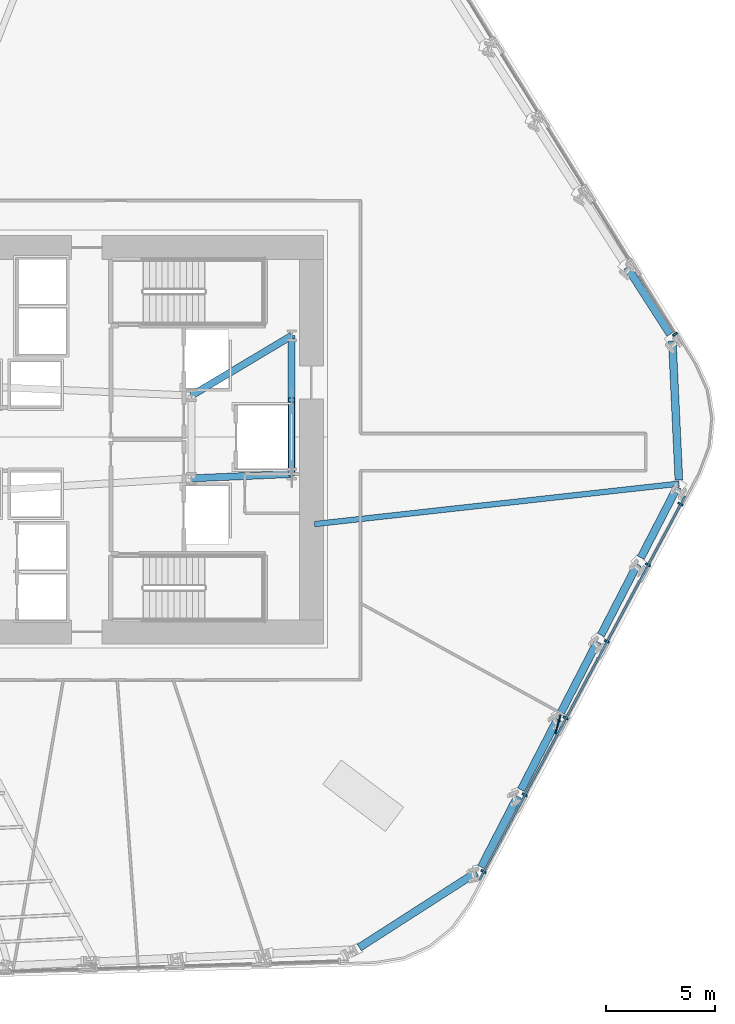
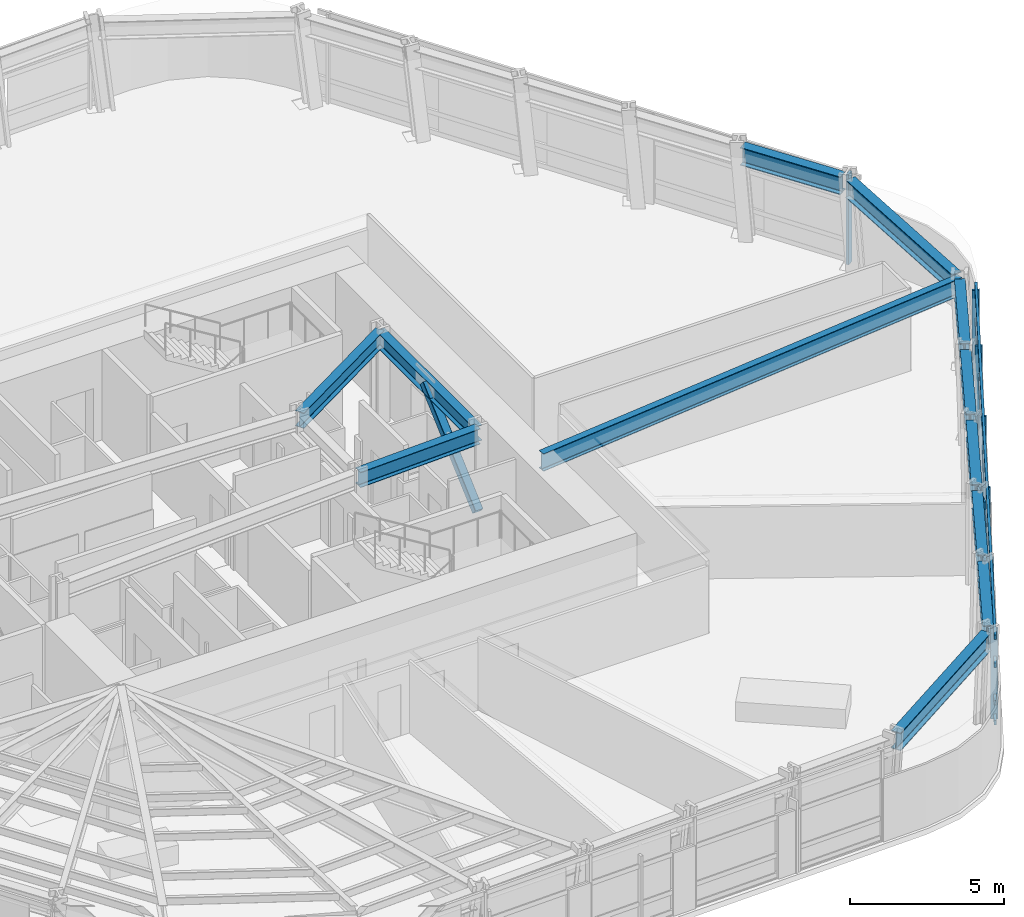
# One storey, part 4 of 15: 13 members, 12 beams, 2 elements without a shape of their own.
"""IFC4 building model written with IfcOpenShell, lengths in metres."""

from ifc_helpers import new_model, si_unit, direction, frame, origin, origin_2d, place, context, subcontext, project, spatial, rectangle, hollow_rectangle, i_section, extrude, material, layer, layer_set, material_profile, profile_set, type_object, element, aggregate, save


model = new_model("IFC4")

# Units and contexts
model_context = context("Model", 3, precision=1e-05, world=origin(), true_north=direction((0.0, 1.0)))
body_context = subcontext(model_context, "Body", "Model", "MODEL_VIEW")
ifc_project = project(units=[si_unit("LENGTHUNIT", "METRE"), si_unit("AREAUNIT", "SQUARE_METRE"), si_unit("VOLUMEUNIT", "CUBIC_METRE"), si_unit("PLANEANGLEUNIT", "RADIAN"), si_unit("MASSUNIT", "GRAM", prefix="KILO")], contexts=[model_context])

# Site, building, storey
site_placement = place(None, origin())
site = spatial("IfcSite", under=ifc_project, at=site_placement, CompositionType="ELEMENT")
building_placement = place(site_placement, origin())
building = spatial("IfcBuilding", under=site, at=building_placement, Name="Valkerne Bourse Tower", CompositionType="ELEMENT")
storey_placement = place(building_placement, frame((0.0, 0.0, 31.60009765625)))
storey = spatial("IfcBuildingStorey", under=building, at=storey_placement, Name="L07", CompositionType="ELEMENT", Elevation=31.60009765625)

# Beams
ifc_material_1 = material(Name="Steel ASTM A992", Category="steel")
ifc_material_profile_1 = material_profile(ifc_material_1, i_section(OverallWidth=0.3251953125, OverallDepth=0.612060546875, WebThickness=0.0126953125, FlangeThickness=0.01904296875, FilletRadius=0.020263671875, at=origin_2d()), Name="W24X104")
ifc_profile_set_1 = profile_set([ifc_material_profile_1], Name="Steel ASTM A992")
beam_type_1 = type_object("IfcBeamType", Name="BM-W24X104", PredefinedType="BEAM", material=ifc_profile_set_1)
beam_1_placement = place(storey_placement, frame((50.35009765625, 25.10009765625, 3.27392578125), z_axis=(0.999056558506, 0.043428019819, 0.0), x_axis=(-0.043428019819, 0.999056558506, 0.0)))
element("IfcBeam", 1, at=beam_1_placement, inside=storey, type_object=beam_type_1, Name="L07 Core Frame Girder CG-SE", PredefinedType="BEAM", context=body_context, shape_type="SweptSolid", body=[
    extrude(i_section(OverallWidth=0.3251953125, OverallDepth=0.612060546875, WebThickness=0.0126953125, FlangeThickness=0.01904296875, FilletRadius=0.020263671875, at=origin_2d()), origin(), (0.0, 0.0, 1.0), 4.604248046875),
])
beam_2_placement = place(storey_placement, frame((50.35009765625, 28.89990234375, 3.27392578125), z_axis=(0.858307823492, 0.513135148019, 0.0), x_axis=(-0.513135148019, 0.858307823492, 0.0)))
element("IfcBeam", 2, at=beam_2_placement, inside=storey, type_object=beam_type_1, Name="L07 Core Frame Girder CG-NE", PredefinedType="BEAM", context=body_context, shape_type="SweptSolid", body=[
    extrude(i_section(OverallWidth=0.3251953125, OverallDepth=0.612060546875, WebThickness=0.0126953125, FlangeThickness=0.01904296875, FilletRadius=0.020263671875, at=origin_2d()), origin(), (0.0, 0.0, 1.0), 5.359130859375),
])
beam_3_placement = place(storey_placement, frame((54.949951171875, 25.300048828125, 3.27392578125), z_axis=(0.0, 1.0, 0.0), x_axis=(-1.0, 0.0, 0.0)))
element("IfcBeam", 3, at=beam_3_placement, inside=storey, type_object=beam_type_1, Name="L07 Core Frame Girder CG-EE", PredefinedType="BEAM", context=body_context, shape_type="SweptSolid", body=[
    extrude(i_section(OverallWidth=0.3251953125, OverallDepth=0.612060546875, WebThickness=0.0126953125, FlangeThickness=0.01904296875, FilletRadius=0.020263671875, at=origin_2d()), origin(), (0.0, 0.0, 1.0), 6.349853515625),
])
ifc_material_profile_2 = material_profile(ifc_material_1, i_section(OverallWidth=0.255859375, OverallDepth=0.693359375, WebThickness=0.014404296875, FlangeThickness=0.023681640625, FilletRadius=0.02294921875, at=origin_2d()), Name="W27X114")
ifc_profile_set_2 = profile_set([ifc_material_profile_2], Name="Steel ASTM A992")
beam_type_2 = type_object("IfcBeamType", Name="BM-W27X114", PredefinedType="BEAM", material=ifc_profile_set_2)
beam_4_placement = place(storey_placement, frame((72.7373046875, 24.85498046875, 3.233154296875), z_axis=(-0.993914459834, -0.110154648256, 0.0), x_axis=(0.110154648256, -0.993914459834, 0.0)))
element("IfcBeam", 4, at=beam_4_placement, inside=storey, type_object=beam_type_2, Name="L07 Radial Composite Floor Beam 35", PredefinedType="BEAM", context=body_context, shape_type="SweptSolid", body=[
    extrude(i_section(OverallWidth=0.255859375, OverallDepth=0.693359375, WebThickness=0.014404296875, FlangeThickness=0.023681640625, FilletRadius=0.02294921875, at=origin_2d()), origin(), (0.0, 0.0, 1.0), 16.83984375),
])
ifc_material_profile_3 = material_profile(ifc_material_1, i_section(OverallWidth=0.358154296875, OverallDepth=0.7060546875, WebThickness=0.018310546875, FlangeThickness=0.0302734375, FilletRadius=0.02294921875, at=origin_2d()), Name="W27X178")
ifc_profile_set_3 = profile_set([ifc_material_profile_3], Name="Steel ASTM A992")
beam_type_3 = type_object("IfcBeamType", Name="BM-W27X178", PredefinedType="SPANDREL", material=ifc_profile_set_3)
beam_5_placement = place(storey_placement, frame((72.32861328125, 31.719482421875, 3.226806640625), z_axis=(-0.540224232621, 0.841521109949, 0.0), x_axis=(-0.841521109949, -0.540224232621, 0.0)))
element("IfcBeam", 5, at=beam_5_placement, inside=storey, type_object=beam_type_3, Name="L07 Hexagonal Spandrel Ring Beam 00", PredefinedType="SPANDREL", context=body_context, shape_type="SweptSolid", body=[
    extrude(i_section(OverallWidth=0.358154296875, OverallDepth=0.7060546875, WebThickness=0.018310546875, FlangeThickness=0.0302734375, FilletRadius=0.02294921875, at=origin_2d()), origin(), (0.0, 0.0, 1.0), 3.656005859375),
])
beam_6_placement = place(storey_placement, frame((58.05419921875, 3.556884765625, 3.226806640625), z_axis=(0.84149741777, 0.540261136753, 0.0), x_axis=(-0.540261136753, 0.84149741777, 0.0)))
element("IfcBeam", 6, at=beam_6_placement, inside=storey, type_object=beam_type_3, Name="L07 Hexagonal Spandrel Ring Beam 29", PredefinedType="SPANDREL", context=body_context, shape_type="SweptSolid", body=[
    extrude(i_section(OverallWidth=0.358154296875, OverallDepth=0.7060546875, WebThickness=0.018310546875, FlangeThickness=0.0302734375, FilletRadius=0.02294921875, at=origin_2d()), origin(), (0.0, 0.0, 1.0), 6.388916015625),
])
beam_7_placement = place(storey_placement, frame((63.651611328125, 7.25146484375, 3.226806640625), z_axis=(0.458636115682, 0.888624168809, 0.0), x_axis=(-0.888624168809, 0.458636115682, 0.0)))
element("IfcBeam", 7, at=beam_7_placement, inside=storey, type_object=beam_type_3, Name="L07 Hexagonal Spandrel Ring Beam 30", PredefinedType="SPANDREL", context=body_context, shape_type="SweptSolid", body=[
    extrude(i_section(OverallWidth=0.358154296875, OverallDepth=0.7060546875, WebThickness=0.018310546875, FlangeThickness=0.0302734375, FilletRadius=0.02294921875, at=origin_2d()), origin(), (0.0, 0.0, 1.0), 3.656005859375),
])
beam_8_placement = place(storey_placement, frame((65.484375, 10.802490234375, 3.226806640625), z_axis=(0.458610597204, 0.888637338925, 0.0), x_axis=(-0.888637338925, 0.458610597204, 0.0)))
element("IfcBeam", 8, at=beam_8_placement, inside=storey, type_object=beam_type_3, Name="L07 Hexagonal Spandrel Ring Beam 31", PredefinedType="SPANDREL", context=body_context, shape_type="SweptSolid", body=[
    extrude(i_section(OverallWidth=0.358154296875, OverallDepth=0.7060546875, WebThickness=0.018310546875, FlangeThickness=0.0302734375, FilletRadius=0.02294921875, at=origin_2d()), origin(), (0.0, 0.0, 1.0), 3.655517578125),
])
beam_9_placement = place(storey_placement, frame((67.31689453125, 14.353271484375, 3.226806640625), z_axis=(0.458688845255, 0.888596952076, 0.0), x_axis=(-0.888596952076, 0.458688845255, 0.0)))
element("IfcBeam", 9, at=beam_9_placement, inside=storey, type_object=beam_type_3, Name="L07 Hexagonal Spandrel Ring Beam 32", PredefinedType="SPANDREL", context=body_context, shape_type="SweptSolid", body=[
    extrude(i_section(OverallWidth=0.358154296875, OverallDepth=0.7060546875, WebThickness=0.018310546875, FlangeThickness=0.0302734375, FilletRadius=0.02294921875, at=origin_2d()), origin(), (0.0, 0.0, 1.0), 3.656005859375),
])
for number, where, z_axis, x_axis, name in (
    (10, (69.14990234375, 17.904296875, 3.226806640625), (0.458663333085, 0.888610120854, 0.0), (-0.888610120854, 0.458663333085, 0.0), "L07 Hexagonal Spandrel Ring Beam 33"),
    (11, (70.982666015625, 21.455078125, 3.226806640625), (0.458583381264, 0.888651384081, 0.0), (-0.888651384081, 0.458583381264, 0.0), "L07 Hexagonal Spandrel Ring Beam 34"),
):
    element("IfcBeam", number, at=place(storey_placement, frame(where, z_axis=z_axis, x_axis=x_axis)), inside=storey, type_object=beam_type_3, Name=name, PredefinedType="SPANDREL", context=body_context, shape_type="SweptSolid", body=[
        extrude(i_section(OverallWidth=0.358154296875, OverallDepth=0.7060546875, WebThickness=0.018310546875, FlangeThickness=0.0302734375, FilletRadius=0.02294921875, at=origin_2d()), origin(), (0.0, 0.0, 1.0), 3.65576171875),
    ])
beam_10_placement = place(storey_placement, frame((72.729248046875, 25.024658203125, 3.226806640625), z_axis=(-0.047076777835, 0.998891273857, 0.0), x_axis=(-0.998891273857, -0.047076777835, 0.0)))
element("IfcBeam", 12, at=beam_10_placement, inside=storey, type_object=beam_type_3, Name="L07 Hexagonal Spandrel Ring Beam 35", PredefinedType="SPANDREL", context=body_context, shape_type="SweptSolid", body=[
    extrude(i_section(OverallWidth=0.358154296875, OverallDepth=0.7060546875, WebThickness=0.018310546875, FlangeThickness=0.0302734375, FilletRadius=0.02294921875, at=origin_2d()), origin(), (0.0, 0.0, 1.0), 6.38916015625),
])

# Curtain wall, member
ifc_material_2 = material(Name="Aluminium AA 6063-T6", Category="aluminium")
ifc_layer = layer(ifc_material_2, 0.22509765625)
ifc_layer_set = layer_set([ifc_layer], Name="Aluminium AA 6063-T6")
curtain_wall_type = type_object("IfcCurtainWallType", Name="CW-01", PredefinedType="NOTDEFINED", material=ifc_layer_set)
curtain_wall_1_placement = place(storey_placement, origin())
curtain_wall_1 = element("IfcCurtainWall", 13, at=curtain_wall_1_placement, inside=storey, type_object=curtain_wall_type, Name="L07 Hexagonal Stick Curtain Wall Face 1", PredefinedType="NOTDEFINED")
ifc_material_profile_4 = material_profile(ifc_material_2, rectangle(XDim=0.090087890625, YDim=0.239990234375, at=origin_2d()), Name="CWM-90X240")
ifc_profile_set_4 = profile_set([ifc_material_profile_4], Name="Aluminium AA 6063-T6")
member_type_1 = type_object("IfcMemberType", Name="CW-MUL-240X90", PredefinedType="MULLION", material=ifc_profile_set_4)
member_1_placement = place(storey_placement, frame((72.556640625, 31.709716796875, 0.0), z_axis=(0.0, 0.0, 1.0), x_axis=(-0.526949791595, 0.849896415534, 0.0)))
member_1 = element("IfcMember", 14, at=member_1_placement, type_object=member_type_1, Name="CW-L07-F1 Jamb Mullion 00A", PredefinedType="MULLION", context=body_context, shape_type="SweptSolid", body=[
    extrude(rectangle(XDim=0.090087890625, YDim=0.239990234375, at=origin_2d()), origin(), (0.0, 0.0, 1.0), 3.579833984375),
])
aggregate(curtain_wall_1, [member_1])

# Curtain wall, members
curtain_wall_2_placement = place(storey_placement, origin())
curtain_wall_2 = element("IfcCurtainWall", 15, at=curtain_wall_2_placement, inside=storey, type_object=curtain_wall_type, Name="L07 Hexagonal Stick Curtain Wall Face 6", PredefinedType="NOTDEFINED")
member_2_placement = place(storey_placement, frame((63.757080078125, 7.048828125, 0.0), z_axis=(0.0, 0.0, 1.0), x_axis=(0.472547077315, 0.881305429304, 0.0)))
member_2 = element("IfcMember", 16, at=member_2_placement, type_object=member_type_1, Name="CW-L07-F6 Jamb Mullion 00A", PredefinedType="MULLION", context=body_context, shape_type="SweptSolid", body=[
    extrude(rectangle(XDim=0.090087890625, YDim=0.239990234375, at=origin_2d()), origin(), (0.0, 0.0, 1.0), 3.579833984375),
])
member_3_placement = place(storey_placement, frame((65.645263671875, 10.570556640625, 0.0), z_axis=(0.0, 0.0, 1.0), x_axis=(0.472547077315, 0.881305429304, 0.0)))
member_3 = element("IfcMember", 17, at=member_3_placement, type_object=member_type_1, Name="CW-L07-F6 Jamb Mullion 01A", PredefinedType="MULLION", context=body_context, shape_type="SweptSolid", body=[
    extrude(rectangle(XDim=0.090087890625, YDim=0.239990234375, at=origin_2d()), origin(), (0.0, 0.0, 1.0), 3.579833984375),
])
member_4_placement = place(storey_placement, frame((67.53369140625, 14.09228515625, 0.0), z_axis=(0.0, 0.0, 1.0), x_axis=(0.472547077315, 0.881305429304, 0.0)))
member_4 = element("IfcMember", 18, at=member_4_placement, type_object=member_type_1, Name="CW-L07-F6 Jamb Mullion 02A", PredefinedType="MULLION", context=body_context, shape_type="SweptSolid", body=[
    extrude(rectangle(XDim=0.090087890625, YDim=0.239990234375, at=origin_2d()), origin(), (0.0, 0.0, 1.0), 3.579833984375),
])
member_5_placement = place(storey_placement, frame((69.421875, 17.614013671875, 0.0), z_axis=(0.0, 0.0, 1.0), x_axis=(0.472547077315, 0.881305429304, 0.0)))
member_5 = element("IfcMember", 19, at=member_5_placement, type_object=member_type_1, Name="CW-L07-F6 Jamb Mullion 03A", PredefinedType="MULLION", context=body_context, shape_type="SweptSolid", body=[
    extrude(rectangle(XDim=0.090087890625, YDim=0.239990234375, at=origin_2d()), origin(), (0.0, 0.0, 1.0), 3.579833984375),
])
member_6_placement = place(storey_placement, frame((71.310302734375, 21.135498046875, 0.0), z_axis=(0.0, 0.0, 1.0), x_axis=(0.472547077315, 0.881305429304, 0.0)))
member_6 = element("IfcMember", 20, at=member_6_placement, type_object=member_type_1, Name="CW-L07-F6 Jamb Mullion 04A", PredefinedType="MULLION", context=body_context, shape_type="SweptSolid", body=[
    extrude(rectangle(XDim=0.090087890625, YDim=0.239990234375, at=origin_2d()), origin(), (0.0, 0.0, 1.0), 3.579833984375),
])
member_7_placement = place(storey_placement, frame((72.801513671875, 23.9169921875, 0.0), z_axis=(0.0, 0.0, 1.0), x_axis=(0.472547077315, 0.881305429304, 0.0)))
member_7 = element("IfcMember", 21, at=member_7_placement, type_object=member_type_1, Name="CW-L07-F6 Jamb Mullion 04B", PredefinedType="MULLION", context=body_context, shape_type="SweptSolid", body=[
    extrude(rectangle(XDim=0.090087890625, YDim=0.239990234375, at=origin_2d()), origin(), (0.0, 0.0, 1.0), 3.579833984375),
])
ifc_material_profile_5 = material_profile(ifc_material_2, rectangle(XDim=0.090087890625, YDim=0.179931640625, at=origin_2d()), Name="CWT-90X180")
ifc_profile_set_5 = profile_set([ifc_material_profile_5], Name="Aluminium AA 6063-T6")
member_type_2 = type_object("IfcMemberType", Name="CW-TRN-180X90", PredefinedType="USERDEFINED", material=ifc_profile_set_5)
member_8_placement = place(storey_placement, frame((63.576171875, 6.669189453125, 0.119873046875), z_axis=(0.472545549822, 0.881306248329, 0.0), x_axis=(-0.881306248329, 0.472545549822, 0.0)))
member_8 = element("IfcMember", 22, at=member_8_placement, type_object=member_type_2, Name="CW-L07-F6 Continuous Face Transom 1", ObjectType="TRANSOM", PredefinedType="USERDEFINED", context=body_context, shape_type="SweptSolid", body=[
    extrude(rectangle(XDim=0.090087890625, YDim=0.179931640625, at=origin_2d()), origin(), (0.0, 0.0, 1.0), 19.97998046875),
])
member_9_placement = place(storey_placement, frame((63.576171875, 6.669189453125, 0.89990234375), z_axis=(0.472545549822, 0.881306248329, 0.0), x_axis=(-0.881306248329, 0.472545549822, 0.0)))
member_9 = element("IfcMember", 23, at=member_9_placement, type_object=member_type_2, Name="CW-L07-F6 Continuous Face Transom 2", ObjectType="TRANSOM", PredefinedType="USERDEFINED", context=body_context, shape_type="SweptSolid", body=[
    extrude(rectangle(XDim=0.090087890625, YDim=0.179931640625, at=origin_2d()), origin(), (0.0, 0.0, 1.0), 19.97998046875),
])
member_10_placement = place(storey_placement, frame((63.576171875, 6.669189453125, 2.39990234375), z_axis=(0.472545549822, 0.881306248329, 0.0), x_axis=(-0.881306248329, 0.472545549822, 0.0)))
member_10 = element("IfcMember", 24, at=member_10_placement, type_object=member_type_2, Name="CW-L07-F6 Continuous Face Transom 3", ObjectType="TRANSOM", PredefinedType="USERDEFINED", context=body_context, shape_type="SweptSolid", body=[
    extrude(rectangle(XDim=0.090087890625, YDim=0.179931640625, at=origin_2d()), origin(), (0.0, 0.0, 1.0), 19.97998046875),
])
member_11_placement = place(storey_placement, frame((63.576171875, 6.669189453125, 3.5), z_axis=(0.472545549822, 0.881306248329, 0.0), x_axis=(-0.881306248329, 0.472545549822, 0.0)))
member_11 = element("IfcMember", 25, at=member_11_placement, type_object=member_type_2, Name="CW-L07-F6 Continuous Face Transom 4", ObjectType="TRANSOM", PredefinedType="USERDEFINED", context=body_context, shape_type="SweptSolid", body=[
    extrude(rectangle(XDim=0.090087890625, YDim=0.179931640625, at=origin_2d()), origin(), (0.0, 0.0, 1.0), 19.97998046875),
])
aggregate(curtain_wall_2, [member_8, member_9, member_10, member_11, member_2, member_3, member_4, member_5, member_6, member_7])

# Members
ifc_material_3 = material(Name="Bronze Anodised Aluminium AA 6063-T6", Category="aluminium")
ifc_material_profile_6 = material_profile(ifc_material_3, rectangle(XDim=0.070068359375, YDim=0.89990234375, at=origin_2d()), Name="FIN-70X900")
ifc_profile_set_6 = profile_set([ifc_material_profile_6], Name="Bronze Anodised Aluminium AA 6063-T6")
member_type_3 = type_object("IfcMemberType", Name="FIN-SOLAR-900", PredefinedType="USERDEFINED", material=ifc_profile_set_6)
member_12_placement = place(storey_placement, frame((67.176513671875, 13.80712890625, 0.00390625), z_axis=(0.0, 0.0, 1.0), x_axis=(0.966544247204, -0.256499938005, 0.0)))
element("IfcMember", 26, at=member_12_placement, inside=storey, type_object=member_type_3, Name="L07 Bronze Anodised Solar Fin F6-02", ObjectType="SOLAR_FIN", PredefinedType="USERDEFINED", context=body_context, shape_type="SweptSolid", body=[
    extrude(rectangle(XDim=0.070068359375, YDim=0.89990234375, at=origin_2d()), origin(), (0.0, 0.0, 1.0), 3.572021484375),
])
ifc_material_4 = material(Name="Steel ASTM A500 Grade C", Category="steel")
ifc_material_profile_7 = material_profile(ifc_material_4, hollow_rectangle(XDim=0.300048828125, YDim=0.300048828125, WallThickness=0.012451171875, OuterFilletRadius=0.02490234375, at=origin_2d()), Name="HSS300X300X12.5")
ifc_profile_set_7 = profile_set([ifc_material_profile_7], Name="Steel ASTM A500 Grade C")
member_type_4 = type_object("IfcMemberType", Name="MBR-HSS300X300X12.5", PredefinedType="STRUT", material=ifc_profile_set_7)
member_13_placement = place(storey_placement, frame((54.949951171875, 25.300048828125, 0.219970703125), z_axis=(0.0, 0.743941933778, 0.668244266094), x_axis=(-1.0, 0.0, 0.0)))
element("IfcMember", 27, at=member_13_placement, inside=storey, type_object=member_type_4, Name="L07 Core Service Pier Lateral Brace", PredefinedType="STRUT", context=body_context, shape_type="SweptSolid", body=[
    extrude(hollow_rectangle(XDim=0.300048828125, YDim=0.300048828125, WallThickness=0.012451171875, OuterFilletRadius=0.02490234375, at=origin_2d()), origin(), (0.0, 0.0, 1.0), 4.570068359375),
])

save(model, "model.ifc")
